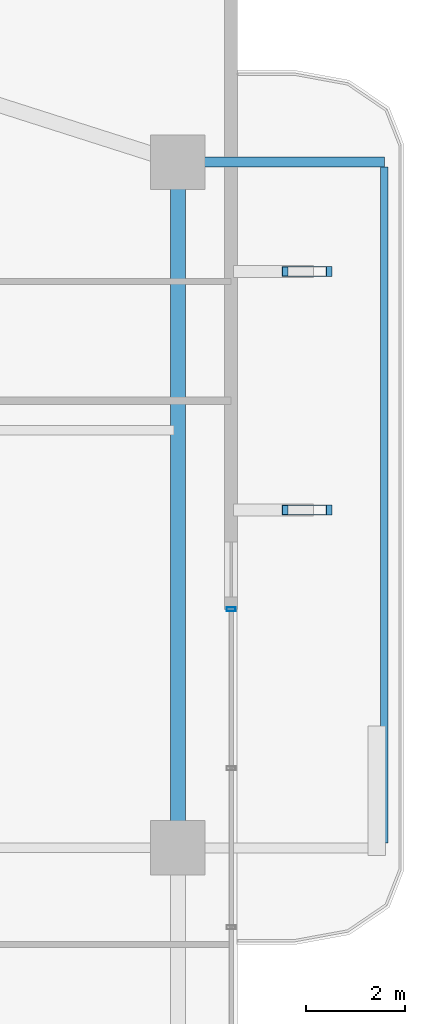
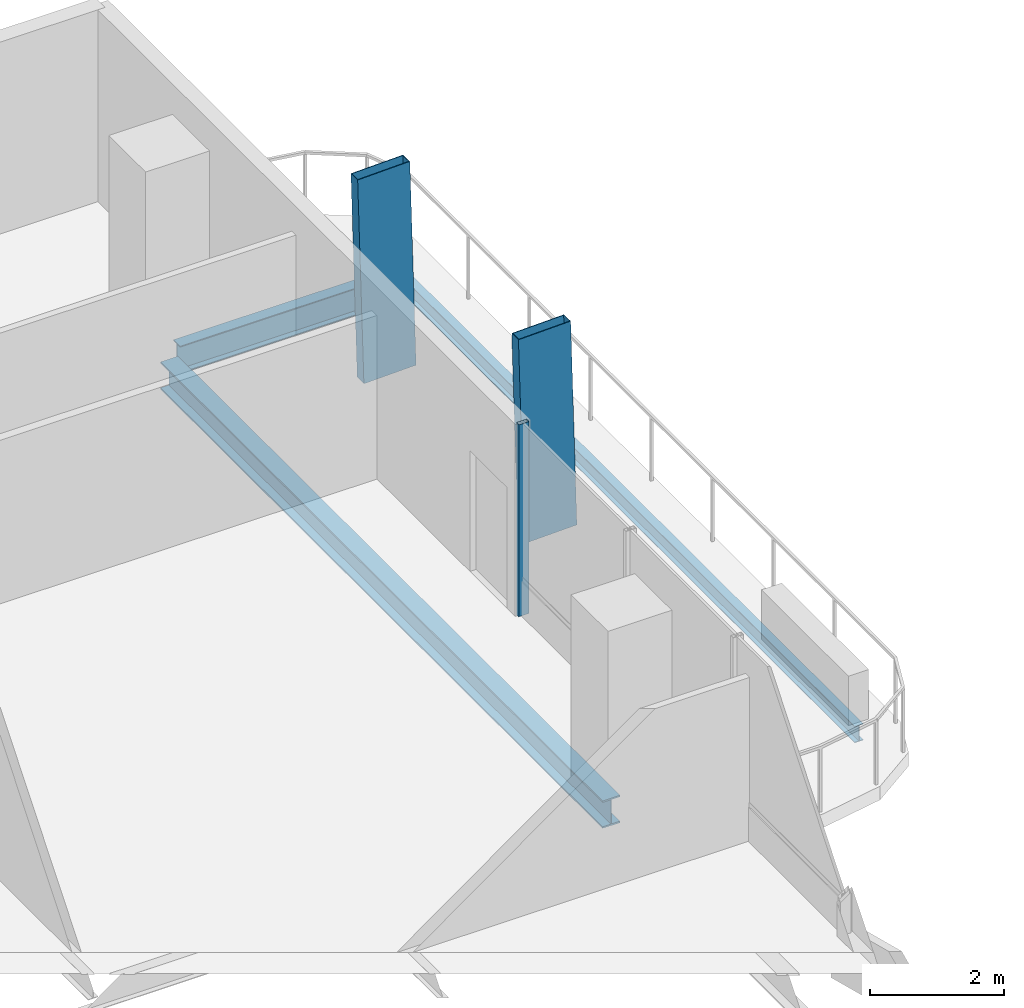
# One storey, part 15 of 25: 3 beams, 3 members, 1 element without a shape of its own.
"""IFC4 building model written with IfcOpenShell, lengths in metres."""

from ifc_helpers import new_model, si_unit, direction, frame, origin, origin_2d, place, context, subcontext, project, spatial, hollow_rectangle, i_section, extrude, material, layer, layer_set, material_profile, profile_set, type_object, element, aggregate, save


model = new_model("IFC4")

# Units and contexts
model_context = context("Model", 3, precision=1e-05, world=origin(), true_north=direction((0.0, 1.0)))
body_context = subcontext(model_context, "Body", "Model", "MODEL_VIEW")
ifc_project = project(units=[si_unit("LENGTHUNIT", "METRE"), si_unit("AREAUNIT", "SQUARE_METRE"), si_unit("VOLUMEUNIT", "CUBIC_METRE"), si_unit("PLANEANGLEUNIT", "RADIAN"), si_unit("MASSUNIT", "GRAM", prefix="KILO")], contexts=[model_context])

# Site, building, storey
site_placement = place(None, origin())
site = spatial("IfcSite", under=ifc_project, at=site_placement, CompositionType="ELEMENT")
building_placement = place(site_placement, origin())
building = spatial("IfcBuilding", under=site, at=building_placement, Name="Belovzor Exchange Tower", CompositionType="ELEMENT")
storey_placement = place(building_placement, frame((0.0, 0.0, 153.300048828125)))
storey = spatial("IfcBuildingStorey", under=building, at=storey_placement, Name="L37", CompositionType="ELEMENT", Elevation=153.300048828125)

# Beams
ifc_material_1 = material(Name="Steel S355", Category="steel")
ifc_material_profile_1 = material_profile(ifc_material_1, i_section(OverallWidth=0.199951171875, OverallDepth=0.5, WebThickness=0.01025390625, FlangeThickness=0.01611328125, at=origin_2d()))
ifc_profile_set_1 = profile_set([ifc_material_profile_1], Name="Steel S355")
beam_type_1 = type_object("IfcBeamType", Name="Planted Balcony Cantilever Beam IPE 500", PredefinedType="BEAM", material=ifc_profile_set_1)
beam_1_placement = place(storey_placement, frame((52.202880859375, 42.60009765625, -0.505126953125), z_axis=(1.0, 0.0, 0.0), x_axis=(0.0, 1.0, 0.0)))
element("IfcBeam", 1, at=beam_1_placement, inside=storey, type_object=beam_type_1, Name="BC-500 Planted Balcony Cantilever Beam IPE 500", PredefinedType="BEAM", context=body_context, shape_type="SweptSolid", body=[
    extrude(i_section(OverallWidth=0.199951171875, OverallDepth=0.5, WebThickness=0.01025390625, FlangeThickness=0.01611328125, at=origin_2d()), origin(), (0.0, 0.0, 1.0), 3.85009765625),
])
ifc_material_2 = material(Name="Steel S355", Category="steel")
ifc_material_profile_2 = material_profile(ifc_material_2, i_section(OverallWidth=0.14990234375, OverallDepth=0.300048828125, WebThickness=0.007080078125, FlangeThickness=0.0107421875, at=origin_2d()))
ifc_profile_set_2 = profile_set([ifc_material_profile_2], Name="Steel S355")
beam_type_2 = type_object("IfcBeamType", Name="Planted Balcony Fascia Edge Beam IPE 300", PredefinedType="BEAM", material=ifc_profile_set_2)
beam_2_placement = place(storey_placement, frame((56.052978515625, 28.89990234375, -0.405029296875), z_axis=(0.0, 1.0, 0.0), x_axis=(-1.0, 0.0, 0.0)))
element("IfcBeam", 2, at=beam_2_placement, inside=storey, type_object=beam_type_2, Name="BC-300 Planted Balcony Fascia Edge Beam IPE 300", PredefinedType="BEAM", context=body_context, shape_type="SweptSolid", body=[
    extrude(i_section(OverallWidth=0.14990234375, OverallDepth=0.300048828125, WebThickness=0.007080078125, FlangeThickness=0.0107421875, at=origin_2d()), origin(), (0.0, 0.0, 1.0), 13.60009765625),
])

# Members
ifc_material_3 = material(Name="Extruded Architectural Terracotta on Steel S355 Carrier", Category="masonry")
ifc_material_profile_3 = material_profile(ifc_material_3, hollow_rectangle(XDim=0.199951171875, YDim=0.89990234375, WallThickness=0.011962890625, at=origin_2d()))
ifc_profile_set_3 = profile_set([ifc_material_profile_3], Name="Extruded Architectural Terracotta on Steel S355 Carrier")
member_type_1 = type_object("IfcMemberType", Name="Sweeping Terracotta Baguette Fin Assembly 1250", PredefinedType="USERDEFINED", material=ifc_profile_set_3)
for number, where, z_axis, x_axis, name in (
    (3, (54.551025390625, 35.60009765625, -0.255126953125), (-0.028764134908, 0.0, 0.999586226667), (0.0, -1.0, 0.0), "FIN-TC125 Terracotta Facade Fin L37 E3"),
    (4, (54.551025390625, 40.39990234375, -0.255126953125), (-0.028764134908, 0.0, 0.999586226667), (0.0, -1.0, 0.0), "FIN-TC125 Terracotta Facade Fin L37 E4"),
):
    element("IfcMember", number, at=place(storey_placement, frame(where, z_axis=z_axis, x_axis=x_axis)), inside=storey, type_object=member_type_1, Name=name, ObjectType="FIN", PredefinedType="USERDEFINED", context=body_context, shape_type="SweptSolid", body=[
        extrude(hollow_rectangle(XDim=0.199951171875, YDim=0.89990234375, WallThickness=0.011962890625, at=origin_2d()), origin(), (0.0, 0.0, 1.0), 3.75146484375),
    ])

# Curtain wall, member
ifc_material_4 = material(Name="Anodised Aluminium Framing", Category="aluminium")
ifc_layer = layer(ifc_material_4, 0.179931640625)
ifc_layer_set = layer_set([ifc_layer], Name="Anodised Aluminium Framing")
curtain_wall_type = type_object("IfcCurtainWallType", Name="Recessed Loggia Low-Iron Triple-Glazed Curtain Wall", PredefinedType="NOTDEFINED", material=ifc_layer_set)
curtain_wall_placement = place(storey_placement, origin())
curtain_wall = element("IfcCurtainWall", 5, at=curtain_wall_placement, inside=storey, type_object=curtain_wall_type, Name="CW3 Recessed Loggia Low-Iron Triple-Glazed Curtain Wall L37", PredefinedType="NOTDEFINED")
ifc_material_5 = material(Name="Steel S355", Category="steel")
ifc_material_profile_4 = material_profile(ifc_material_5, hollow_rectangle(XDim=0.074951171875, YDim=0.179931640625, WallThickness=0.0048828125, at=origin_2d()))
ifc_profile_set_4 = profile_set([ifc_material_profile_4], Name="Steel S355")
member_type_2 = type_object("IfcMemberType", Name="Thermally Broken Curtain Wall Mullion 180x75", PredefinedType="MULLION", material=ifc_profile_set_4)
member_placement = place(storey_placement, frame((52.969970703125, 33.60009765625, 0.0), z_axis=(0.0, 0.0, 1.0), x_axis=(0.0, -1.0, 0.0)))
member = element("IfcMember", 6, at=member_placement, type_object=member_type_2, Name="CW-M180 Curtain Wall Mullion 1", PredefinedType="MULLION", context=body_context, shape_type="SweptSolid", body=[
    extrude(hollow_rectangle(XDim=0.074951171875, YDim=0.179931640625, WallThickness=0.0048828125, at=origin_2d()), origin(), (0.0, 0.0, 1.0), 3.494873046875),
])
aggregate(curtain_wall, [member])

# Beam
ifc_material_6 = material(Name="Steel S355", Category="steel")
ifc_material_profile_5 = material_profile(ifc_material_6, i_section(OverallWidth=0.300048828125, OverallDepth=0.5, WebThickness=0.014404296875, FlangeThickness=0.028076171875, at=origin_2d()))
ifc_profile_set_5 = profile_set([ifc_material_profile_5], Name="Steel S355")
beam_type_3 = type_object("IfcBeamType", Name="Zone 3 Waist Primary Girder HEB 500", PredefinedType="BEAM", material=ifc_profile_set_5)
beam_3_placement = place(storey_placement, frame((51.89990234375, 29.10205078125, -0.505126953125), z_axis=(0.0, 1.0, 0.0), x_axis=(-1.0, 0.0, 0.0)))
element("IfcBeam", 7, at=beam_3_placement, inside=storey, type_object=beam_type_3, Name="FG-Z3 Zone 3 Waist Primary Girder HEB 500", PredefinedType="BEAM", context=body_context, shape_type="SweptSolid", body=[
    extrude(i_section(OverallWidth=0.300048828125, OverallDepth=0.5, WebThickness=0.014404296875, FlangeThickness=0.028076171875, at=origin_2d()), origin(), (0.0, 0.0, 1.0), 13.195068359375),
])

save(model, "model.ifc")
